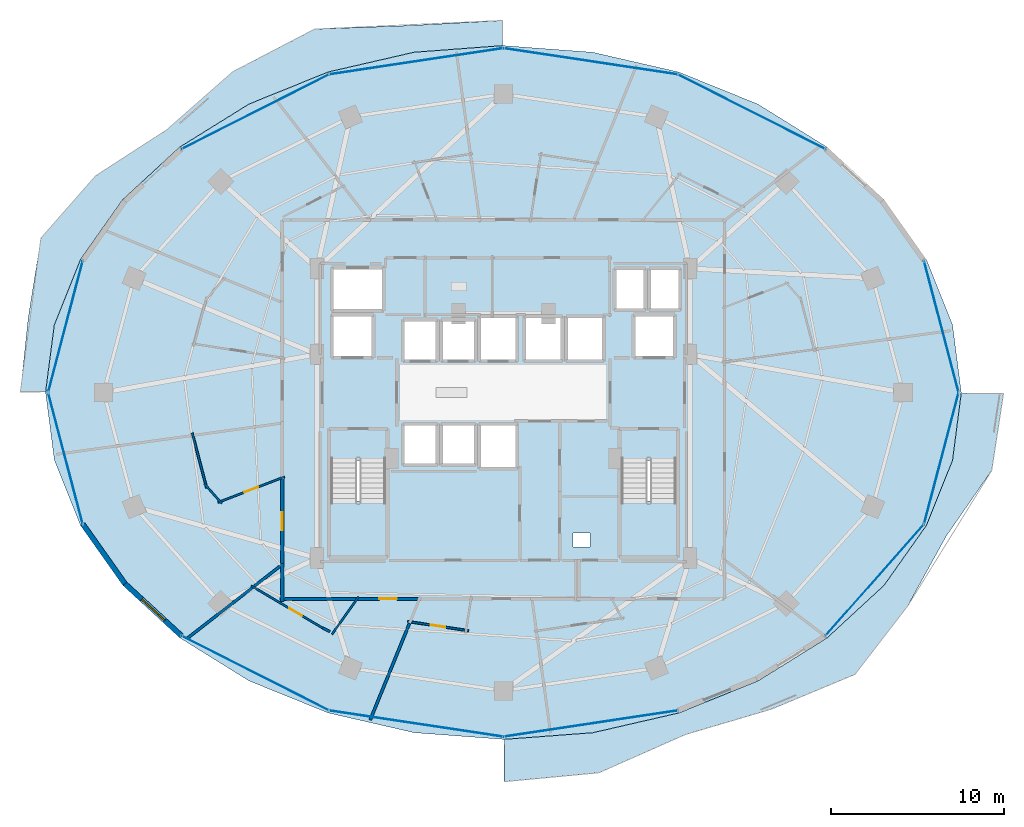
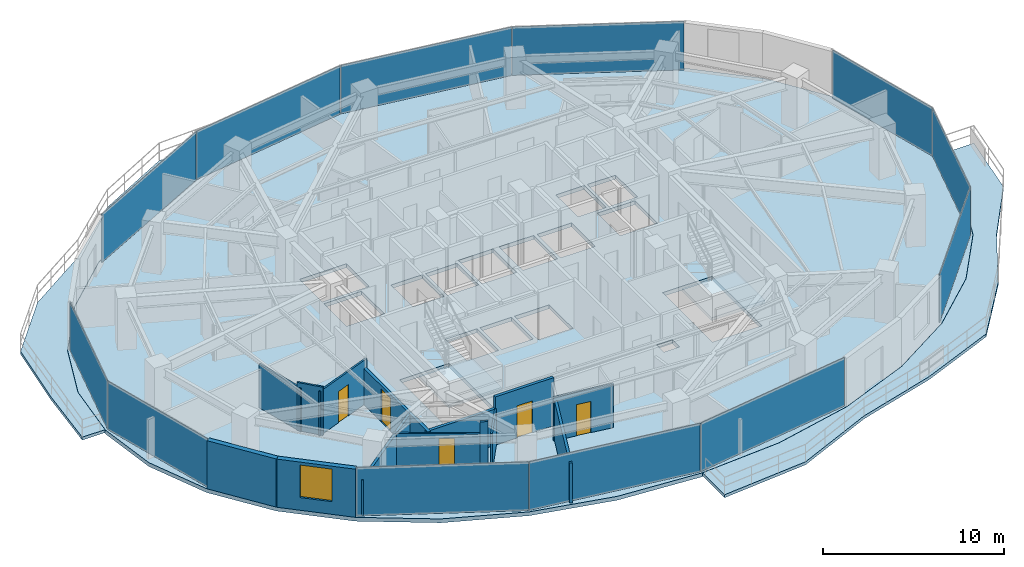
# One storey, part 21 of 30: 15 walls, 12 plates, 5 doors, 5 slabs, 1 window, 6 openings, 6 elements without a shape of their own.
"""IFC4 building model written with IfcOpenShell, lengths in metres."""

from ifc_helpers import new_model, si_unit, direction, frame, frame_2d, origin, origin_2d, place, context, subcontext, project, spatial, polyline, rectangle, outline, extrude, material, layer, layer_set, type_object, element, fill, aggregate, save


model = new_model("IFC4")

# Units and contexts
model_context = context("Model", 3, precision=1e-05, world=origin(), true_north=direction((0.0, 1.0)))
body_context = subcontext(model_context, "Body", "Model", "MODEL_VIEW")
ifc_project = project(units=[si_unit("LENGTHUNIT", "METRE"), si_unit("AREAUNIT", "SQUARE_METRE"), si_unit("VOLUMEUNIT", "CUBIC_METRE"), si_unit("PLANEANGLEUNIT", "RADIAN"), si_unit("MASSUNIT", "GRAM", prefix="KILO")], contexts=[model_context])

# Site, building, storey
site_placement = place(None, origin())
site = spatial("IfcSite", under=ifc_project, at=site_placement, CompositionType="ELEMENT")
building_placement = place(site_placement, origin())
building = spatial("IfcBuilding", under=site, at=building_placement, Name="Vorneva Point Tower", CompositionType="ELEMENT")
storey_placement = place(building_placement, frame((0.0, 0.0, 96.300048828125)))
storey = spatial("IfcBuildingStorey", under=building, at=storey_placement, Name="L25", CompositionType="ELEMENT", Elevation=96.300048828125)

# Curtain wall, plates
ifc_material_1 = material(Name="Pale anodised aluminium", Category="aluminium")
curtain_wall_type = type_object("IfcCurtainWallType", Name="CW-HTL-SYS", PredefinedType="NOTDEFINED", material=ifc_material_1)
curtain_wall_1_placement = place(storey_placement, origin())
curtain_wall_1 = element("IfcCurtainWall", 1, at=curtain_wall_1_placement, inside=storey, type_object=curtain_wall_type, Name="L25 Unitised Curtain Wall CW-L25-R01", PredefinedType="NOTDEFINED")
ifc_material_2 = material(Name="Double low-e laminated glass IGU", Category="glass")
ifc_layer_1 = layer(ifc_material_2, 0.035888671875)
ifc_layer_set_1 = layer_set([ifc_layer_1], Name="Double low-e laminated glass IGU")
plate_type = type_object("IfcPlateType", Name="CW-PNL-VIS", PredefinedType="CURTAIN_PANEL", material=ifc_layer_set_1)
plate_1_placement = place(storey_placement, frame((59.40673828125, 15.183837890625, -0.02001953125), z_axis=(0.0, 0.0, 1.0), x_axis=(0.662149334693, 0.749371909379, 0.0)))
plate_1 = element("IfcPlate", 2, at=plate_1_placement, type_object=plate_type, Name="CW-L25-R01 Glazed Panel 01", PredefinedType="CURTAIN_PANEL", context=body_context, shape_type="SweptSolid", body=[
    extrude(rectangle(XDim=8.543701171875, YDim=0.035888671875, at=origin_2d()), origin(), (0.0, 0.0, 1.0), 3.280029296875),
])
plate_2_placement = place(storey_placement, frame((63.2509765625, 22.201904296875, -0.02001953125), z_axis=(0.0, 0.0, 1.0), x_axis=(0.254399404995, 0.967099241411, 0.0)))
plate_2 = element("IfcPlate", 3, at=plate_2_placement, type_object=plate_type, Name="CW-L25-R01 Glazed Panel 02", PredefinedType="CURTAIN_PANEL", context=body_context, shape_type="SweptSolid", body=[
    extrude(rectangle(XDim=7.8046875, YDim=0.035888671875, at=origin_2d()), origin(), (0.0, 0.0, 1.0), 3.280029296875),
])
plate_3_placement = place(storey_placement, frame((63.2509765625, 29.798095703125, -0.02001953125), z_axis=(0.0, 0.0, 1.0), x_axis=(-0.254399404995, 0.967099241411, 0.0)))
plate_3 = element("IfcPlate", 4, at=plate_3_placement, type_object=plate_type, Name="CW-L25-R01 Glazed Panel 03", PredefinedType="CURTAIN_PANEL", context=body_context, shape_type="SweptSolid", body=[
    extrude(rectangle(XDim=7.8046875, YDim=0.035888671875, at=origin_2d()), origin(), (0.0, 0.0, 1.0), 3.280029296875),
])
aggregate(curtain_wall_1, [plate_1, plate_2, plate_3])

curtain_wall_2_placement = place(storey_placement, origin())
curtain_wall_2 = element("IfcCurtainWall", 5, at=curtain_wall_2_placement, inside=storey, type_object=curtain_wall_type, Name="L25 Unitised Curtain Wall CW-L25-R02", PredefinedType="NOTDEFINED")
plate_4_placement = place(storey_placement, frame((52.303466796875, 42.1875, -0.02001953125), z_axis=(0.0, 0.0, 1.0), x_axis=(-0.892538597772, 0.450971009585, 0.0)))
plate_4 = element("IfcPlate", 6, at=plate_4_placement, type_object=plate_type, Name="CW-L25-R02 Glazed Panel 01", PredefinedType="CURTAIN_PANEL", context=body_context, shape_type="SweptSolid", body=[
    extrude(rectangle(XDim=9.491455078125, YDim=0.035888671875, at=origin_2d()), origin(), (0.0, 0.0, 1.0), 3.280029296875),
])
plate_5_placement = place(storey_placement, frame((43.022705078125, 45.094482421875, -0.02001953125), z_axis=(0.0, 0.0, 1.0), x_axis=(-0.988876117041, 0.148741470836, 0.0)))
plate_5 = element("IfcPlate", 7, at=plate_5_placement, type_object=plate_type, Name="CW-L25-R02 Glazed Panel 02", PredefinedType="CURTAIN_PANEL", context=body_context, shape_type="SweptSolid", body=[
    extrude(rectangle(XDim=10.1083984375, YDim=0.035888671875, at=origin_2d()), origin(), (0.0, 0.0, 1.0), 3.280029296875),
])
plate_6_placement = place(storey_placement, frame((32.977294921875, 45.094482421875, -0.02001953125), z_axis=(0.0, 0.0, 1.0), x_axis=(-0.988876117041, -0.148741470836, 0.0)))
plate_6 = element("IfcPlate", 8, at=plate_6_placement, type_object=plate_type, Name="CW-L25-R02 Glazed Panel 03", PredefinedType="CURTAIN_PANEL", context=body_context, shape_type="SweptSolid", body=[
    extrude(rectangle(XDim=10.1083984375, YDim=0.035888671875, at=origin_2d()), origin(), (0.0, 0.0, 1.0), 3.280029296875),
])
plate_7_placement = place(storey_placement, frame((23.696533203125, 42.1875, -0.02001953125), z_axis=(0.0, 0.0, 1.0), x_axis=(-0.892538597772, -0.450971009585, 0.0)))
plate_7 = element("IfcPlate", 9, at=plate_7_placement, type_object=plate_type, Name="CW-L25-R02 Glazed Panel 04", PredefinedType="CURTAIN_PANEL", context=body_context, shape_type="SweptSolid", body=[
    extrude(rectangle(XDim=9.491455078125, YDim=0.035888671875, at=origin_2d()), origin(), (0.0, 0.0, 1.0), 3.280029296875),
])
aggregate(curtain_wall_2, [plate_4, plate_5, plate_6, plate_7])

curtain_wall_3_placement = place(storey_placement, origin())
curtain_wall_3 = element("IfcCurtainWall", 10, at=curtain_wall_3_placement, inside=storey, type_object=curtain_wall_type, Name="L25 Unitised Curtain Wall CW-L25-R03", PredefinedType="NOTDEFINED")
plate_8_placement = place(storey_placement, frame((12.7490234375, 29.798095703125, -0.02001953125), z_axis=(0.0, 0.0, 1.0), x_axis=(-0.254399404995, -0.967099241411, 0.0)))
plate_8 = element("IfcPlate", 11, at=plate_8_placement, type_object=plate_type, Name="CW-L25-R03 Glazed Panel 01", PredefinedType="CURTAIN_PANEL", context=body_context, shape_type="SweptSolid", body=[
    extrude(rectangle(XDim=7.8046875, YDim=0.035888671875, at=origin_2d()), origin(), (0.0, 0.0, 1.0), 3.280029296875),
])
plate_9_placement = place(storey_placement, frame((12.7490234375, 22.201904296875, -0.02001953125), z_axis=(0.0, 0.0, 1.0), x_axis=(0.254399404995, -0.967099241411, 0.0)))
plate_9 = element("IfcPlate", 12, at=plate_9_placement, type_object=plate_type, Name="CW-L25-R03 Glazed Panel 02", PredefinedType="CURTAIN_PANEL", context=body_context, shape_type="SweptSolid", body=[
    extrude(rectangle(XDim=7.8046875, YDim=0.035888671875, at=origin_2d()), origin(), (0.0, 0.0, 1.0), 3.280029296875),
])
aggregate(curtain_wall_3, [plate_8, plate_9])

curtain_wall_4_placement = place(storey_placement, origin())
curtain_wall_4 = element("IfcCurtainWall", 13, at=curtain_wall_4_placement, inside=storey, type_object=curtain_wall_type, Name="L25 Unitised Curtain Wall CW-L25-R04", PredefinedType="NOTDEFINED")
plate_10_placement = place(storey_placement, frame((23.696533203125, 9.8125, -0.02001953125), z_axis=(0.0, 0.0, 1.0), x_axis=(0.892538597772, -0.450971009585, 0.0)))
plate_10 = element("IfcPlate", 14, at=plate_10_placement, type_object=plate_type, Name="CW-L25-R04 Glazed Panel 01", PredefinedType="CURTAIN_PANEL", context=body_context, shape_type="SweptSolid", body=[
    extrude(rectangle(XDim=9.491455078125, YDim=0.035888671875, at=origin_2d()), origin(), (0.0, 0.0, 1.0), 3.280029296875),
])
plate_11_placement = place(storey_placement, frame((32.977294921875, 6.905517578125, -0.02001953125), z_axis=(0.0, 0.0, 1.0), x_axis=(0.988876117041, -0.148741470836, 0.0)))
plate_11 = element("IfcPlate", 15, at=plate_11_placement, type_object=plate_type, Name="CW-L25-R04 Glazed Panel 02", PredefinedType="CURTAIN_PANEL", context=body_context, shape_type="SweptSolid", body=[
    extrude(rectangle(XDim=10.1083984375, YDim=0.035888671875, at=origin_2d()), origin(), (0.0, 0.0, 1.0), 3.280029296875),
])
plate_12_placement = place(storey_placement, frame((43.022705078125, 6.905517578125, -0.02001953125), z_axis=(0.0, 0.0, 1.0), x_axis=(0.988876117041, 0.148741470836, 0.0)))
plate_12 = element("IfcPlate", 16, at=plate_12_placement, type_object=plate_type, Name="CW-L25-R04 Glazed Panel 03", PredefinedType="CURTAIN_PANEL", context=body_context, shape_type="SweptSolid", body=[
    extrude(rectangle(XDim=10.1083984375, YDim=0.035888671875, at=origin_2d()), origin(), (0.0, 0.0, 1.0), 3.280029296875),
])
aggregate(curtain_wall_4, [plate_10, plate_11, plate_12])

# Slabs
ifc_material_3 = material(Name="Concrete B50 (C40/50)", Category="concrete")
ifc_layer_2 = layer(ifc_material_3, 0.199951171875)
ifc_layer_set_2 = layer_set([ifc_layer_2], Name="Concrete B50 (C40/50)")
slab_type_1 = type_object("IfcSlabType", Name="SLB-BAL-200", PredefinedType="FLOOR", material=ifc_layer_set_2)
slab_1_placement = place(storey_placement, frame((0.0, 0.0, -0.199951171875)))
element("IfcSlab", 17, at=slab_1_placement, inside=storey, type_object=slab_type_1, Name="L25 Cantilevered Wave Balcony NW", PredefinedType="FLOOR", context=body_context, shape_type="SweptSolid", body=[
    extrude(outline(polyline([(10.150390625, 26.050048828125), (11.6025390625, 26.050048828125), (12.103271484375, 29.90234375), (12.103515625, 29.902587890625), (12.103515625, 29.903076171875), (12.103515625, 29.9033203125), (13.60595703125, 33.6552734375), (13.606201171875, 33.655517578125), (13.606201171875, 33.656005859375), (16.0458984375, 37.11376953125), (16.046142578125, 37.114013671875), (16.04638671875, 37.1142578125), (19.32958984375, 40.14501953125), (19.330078125, 40.145263671875), (19.330322265625, 40.1455078125), (23.330810546875, 42.6328125), (23.3310546875, 42.633056640625), (23.331298828125, 42.633056640625), (27.895751953125, 44.481201171875), (27.89599609375, 44.4814453125), (27.896240234375, 44.4814453125), (32.8486328125, 45.61962890625), (32.84912109375, 45.61962890625), (32.849365234375, 45.61962890625), (37.949951171875, 46.000244140625), (37.949951171875, 47.452392578125), (32.616943359375, 47.159423828125), (27.11962890625, 46.955078125), (22.390625, 44.490966796875), (18.57763671875, 41.138427734375), (14.484375, 38.49169921875), (11.331298828125, 34.8994140625), (10.597412109375, 30.29833984375), (10.150390625, 26.050048828125)])), origin(), (0.0, 0.0, 1.0), 0.199951171875),
])
slab_2_placement = place(storey_placement, frame((0.0, 0.0, -0.199951171875)))
element("IfcSlab", 18, at=slab_2_placement, inside=storey, type_object=slab_type_1, Name="L25 Cantilevered Wave Balcony SE", PredefinedType="FLOOR", context=body_context, shape_type="SweptSolid", body=[
    extrude(outline(polyline([(66.155029296875, 21.504150390625), (66.83740234375, 25.949951171875), (64.3974609375, 25.949951171875), (63.896728515625, 22.09765625), (63.896484375, 22.097412109375), (63.896484375, 22.096923828125), (63.896484375, 22.0966796875), (62.39404296875, 18.3447265625), (62.393798828125, 18.344482421875), (62.393798828125, 18.343994140625), (59.9541015625, 14.88623046875), (59.953857421875, 14.885986328125), (59.95361328125, 14.8857421875), (56.67041015625, 11.85498046875), (56.669921875, 11.854736328125), (56.669677734375, 11.8544921875), (52.669189453125, 9.3671875), (52.6689453125, 9.366943359375), (52.668701171875, 9.366943359375), (48.104248046875, 7.518798828125), (48.10400390625, 7.5185546875), (48.103759765625, 7.5185546875), (43.1513671875, 6.38037109375), (43.15087890625, 6.38037109375), (43.150634765625, 6.38037109375), (38.050048828125, 5.999755859375), (38.050048828125, 3.559814453125), (43.498779296875, 4.071533203125), (48.4931640625, 6.27880859375), (53.486083984375, 7.752685546875), (58.267822265625, 9.74560546875), (61.310791015625, 13.689208984375), (63.533935546875, 17.72119140625), (66.155029296875, 21.504150390625)])), origin(), (0.0, 0.0, 1.0), 0.199951171875),
])

# Stair, slab
stair_type = type_object("IfcStairType", Name="ST-DOG-1500", PredefinedType="HALF_TURN_STAIR", material=ifc_material_3)
stair_1_placement = place(storey_placement, origin())
stair_1 = element("IfcStair", 19, at=stair_1_placement, inside=storey, type_object=stair_type, Name="L25 ST1", PredefinedType="HALF_TURN_STAIR")
ifc_layer_3 = layer(ifc_material_3, 0.199951171875)
ifc_layer_set_3 = layer_set([ifc_layer_3], Name="Concrete B50 (C40/50)")
slab_type_2 = type_object("IfcSlabType", Name="SLB-LND-200", PredefinedType="LANDING", material=ifc_layer_set_3)
slab_3_placement = place(storey_placement, frame((0.0, 0.0, 1.550048828125)))
slab_3 = element("IfcSlab", 20, at=slab_3_placement, type_object=slab_type_2, Name="ST1 landing 1", PredefinedType="LANDING", context=body_context, shape_type="SweptSolid", body=[
    extrude(outline(polyline([(27.929931640625, 16.47998046875), (31.320068359375, 16.47998046875), (31.320068359375, 19.72998046875), (27.929931640625, 19.72998046875), (27.929931640625, 16.47998046875)])), origin(), (0.0, 0.0, 1.0), 0.199951171875),
])
aggregate(stair_1, [slab_3])

stair_2_placement = place(storey_placement, origin())
stair_2 = element("IfcStair", 21, at=stair_2_placement, inside=storey, type_object=stair_type, Name="L25 ST2", PredefinedType="HALF_TURN_STAIR")
slab_4_placement = place(storey_placement, frame((0.0, 0.0, 1.550048828125)))
slab_4 = element("IfcSlab", 22, at=slab_4_placement, type_object=slab_type_2, Name="ST2 landing 1", PredefinedType="LANDING", context=body_context, shape_type="SweptSolid", body=[
    extrude(outline(polyline([(44.679931640625, 16.47998046875), (48.070068359375, 16.47998046875), (48.070068359375, 19.72998046875), (44.679931640625, 19.72998046875), (44.679931640625, 16.47998046875)])), origin(), (0.0, 0.0, 1.0), 0.199951171875),
])
aggregate(stair_2, [slab_4])

# Slab
ifc_layer_4 = layer(ifc_material_3, 0.260009765625)
ifc_layer_set_4 = layer_set([ifc_layer_4], Name="Concrete B50 (C40/50)")
slab_type_3 = type_object("IfcSlabType", Name="SLB-TYP-260", PredefinedType="FLOOR", material=ifc_layer_set_4)
slab_5_placement = place(storey_placement, frame((0.0, 0.0, -0.260009765625)))
element("IfcSlab", 23, at=slab_5_placement, inside=storey, type_object=slab_type_3, Name="L25 Structural Floor Plate", PredefinedType="FLOOR", context=body_context, shape_type="SweptSolid", body=[
    extrude(outline(polyline([(64.39990234375, 26.0), (63.892578125, 29.90185546875), (62.390380859375, 33.65380859375), (59.95068359375, 37.111328125), (56.66748046875, 40.14208984375), (52.6669921875, 42.62939453125), (48.102783203125, 44.4775390625), (43.150390625, 45.61572265625), (38.0, 46.0), (32.849609375, 45.61572265625), (27.897216796875, 44.4775390625), (23.3330078125, 42.62939453125), (19.33251953125, 40.14208984375), (16.04931640625, 37.111328125), (13.609619140625, 33.65380859375), (12.107421875, 29.90185546875), (11.60009765625, 26.0), (12.107421875, 22.09814453125), (13.609619140625, 18.34619140625), (16.04931640625, 14.888671875), (19.33251953125, 11.85791015625), (23.3330078125, 9.37060546875), (27.897216796875, 7.5224609375), (32.849609375, 6.38427734375), (38.0, 6.0), (43.150390625, 6.38427734375), (48.102783203125, 7.5224609375), (52.6669921875, 9.37060546875), (56.66748046875, 11.85791015625), (59.95068359375, 14.888671875), (62.390380859375, 18.34619140625), (63.892578125, 22.09814453125), (64.39990234375, 26.0)]), holes=[polyline([(32.199951171875, 27.800048828125), (34.199951171875, 27.800048828125), (34.199951171875, 30.199951171875), (32.199951171875, 30.199951171875), (32.199951171875, 27.800048828125)]), polyline([(34.39990234375, 27.800048828125), (36.39990234375, 27.800048828125), (36.39990234375, 30.199951171875), (34.39990234375, 30.199951171875), (34.39990234375, 27.800048828125)]), polyline([(36.60009765625, 27.800048828125), (38.800048828125, 27.800048828125), (38.800048828125, 30.39990234375), (36.60009765625, 30.39990234375), (36.60009765625, 27.800048828125)]), polyline([(32.199951171875, 21.800048828125), (34.199951171875, 21.800048828125), (34.199951171875, 24.199951171875), (32.199951171875, 24.199951171875), (32.199951171875, 21.800048828125)]), polyline([(34.39990234375, 21.800048828125), (36.39990234375, 21.800048828125), (36.39990234375, 24.199951171875), (34.39990234375, 24.199951171875), (34.39990234375, 21.800048828125)]), polyline([(36.60009765625, 21.60009765625), (38.800048828125, 21.60009765625), (38.800048828125, 24.199951171875), (36.60009765625, 24.199951171875), (36.60009765625, 21.60009765625)]), polyline([(39.199951171875, 27.800048828125), (41.39990234375, 27.800048828125), (41.39990234375, 30.39990234375), (39.199951171875, 30.39990234375), (39.199951171875, 27.800048828125)]), polyline([(41.60009765625, 27.800048828125), (43.800048828125, 27.800048828125), (43.800048828125, 30.39990234375), (41.60009765625, 30.39990234375), (41.60009765625, 27.800048828125)]), polyline([(44.39990234375, 30.739990234375), (46.199951171875, 30.739990234375), (46.199951171875, 33.159912109375), (44.39990234375, 33.159912109375), (44.39990234375, 30.739990234375)]), polyline([(46.39990234375, 30.739990234375), (48.199951171875, 30.739990234375), (48.199951171875, 33.159912109375), (46.39990234375, 33.159912109375), (46.39990234375, 30.739990234375)]), polyline([(28.10009765625, 28.0), (30.5, 28.0), (30.5, 30.5), (28.10009765625, 30.5), (28.10009765625, 28.0)]), polyline([(45.5, 28.0), (47.89990234375, 28.0), (47.89990234375, 30.5), (45.5, 30.5), (45.5, 28.0)]), polyline([(28.10009765625, 30.699951171875), (31.10009765625, 30.699951171875), (31.10009765625, 33.199951171875), (28.10009765625, 33.199951171875), (28.10009765625, 30.699951171875)]), polyline([(28.050048828125, 16.60009765625), (31.199951171875, 16.60009765625), (31.199951171875, 22.080078125), (28.050048828125, 22.080078125), (28.050048828125, 16.60009765625)]), polyline([(44.800048828125, 16.60009765625), (47.949951171875, 16.60009765625), (47.949951171875, 22.080078125), (44.800048828125, 22.080078125), (44.800048828125, 16.60009765625)]), polyline([(42.0, 17.10009765625), (43.0, 17.10009765625), (43.0, 17.89990234375), (42.0, 17.89990234375), (42.0, 17.10009765625)])]), origin(), (0.0, 0.0, 1.0), 0.260009765625),
])

# Wall
ifc_material_4 = material(Name="Precast concrete B50 (C40/50)", Category="concrete")
ifc_layer_5 = layer(ifc_material_4, 0.300048828125)
ifc_layer_set_5 = layer_set([ifc_layer_5], Name="Precast concrete B50 (C40/50)")
wall_type_1 = type_object("IfcWallType", Name="WL-EXT-300", PredefinedType="STANDARD", material=ifc_layer_set_5)
wall_1_placement = place(storey_placement, frame((13.748291015625, 18.40380859375, 0.0), z_axis=(0.0, 0.0, 1.0), x_axis=(0.57716435238, -0.81662801222, 0.0)))
element("IfcWall", 24, at=wall_1_placement, inside=storey, type_object=wall_type_1, Name="L25 Pale-Metal Facade Spandrel Wall 10.1", PredefinedType="STANDARD", context=body_context, shape_type="SweptSolid", body=[
    extrude(rectangle(XDim=4.202392578125, YDim=0.300048828125, at=frame_2d((2.10107421875, 0.0))), origin(), (0.0, 0.0, 1.0), 3.239990234375),
])

# Wall, opening, window
wall_2_placement = place(storey_placement, frame((16.173828125, 14.971923828125, 0.0), z_axis=(0.0, 0.0, 1.0), x_axis=(0.735416718093, -0.677615119924, 0.0)))
wall_2 = element("IfcWall", 25, at=wall_2_placement, inside=storey, type_object=wall_type_1, Name="L25 Pale-Metal Facade Spandrel Wall 10.2", PredefinedType="STANDARD", context=body_context, shape_type="SweptSolid", body=[
    extrude(rectangle(XDim=4.439208984375, YDim=0.300048828125, at=frame_2d((2.2197265625, 0.0))), origin(), (0.0, 0.0, 1.0), 3.239990234375),
])
opening_1_placement = place(wall_2_placement, frame((1.319580078125, 0.0, 0.85009765625)))
opening_1 = element("IfcOpeningElement", 26, at=opening_1_placement, cuts=wall_2, Name="Opening W-01", PredefinedType="OPENING", context=body_context, shape_type="SweptSolid", body=[
    extrude(rectangle(XDim=1.800048828125, YDim=2.18994140625, at=frame_2d((0.89990234375, 1.094970703125))), frame((0.0, 0.1650390625, 0.0), z_axis=(0.0, -1.0, 0.0), x_axis=(1.0, 0.0, 0.0)), (0.0, 0.0, 1.0), 0.329833984375),
])
window_type = type_object("IfcWindowType", Name="WN-LOG-1800", PartitioningType="SINGLE_PANEL", PredefinedType="WINDOW", material=ifc_material_2)
window_placement = place(opening_1_placement, origin())
window = element("IfcWindow", 27, at=window_placement, inside=storey, type_object=window_type, Name="L25 Facade Window 10", OverallHeight=2.18994140625, OverallWidth=1.800048828125, PartitioningType="SINGLE_PANEL", PredefinedType="WINDOW", context=body_context, shape_type="SweptSolid", body=[
    extrude(rectangle(XDim=1.800048828125, YDim=2.18994140625, at=frame_2d((0.89990234375, 1.094970703125))), frame((0.0, 0.030029296875, 0.0), z_axis=(0.0, -1.0, 0.0), x_axis=(1.0, 0.0, 0.0)), (0.0, 0.0, 1.0), 0.06005859375),
])
fill(opening_1, window)

# Walls
ifc_material_5 = material(Name="Fire-rated acoustic gypsum stud partition", Category="gypsum")
ifc_layer_6 = layer(ifc_material_5, 0.110107421875)
ifc_layer_set_6 = layer_set([ifc_layer_6], Name="Fire-rated acoustic gypsum stud partition")
wall_type_2 = type_object("IfcWallType", Name="WL-PART-110", PredefinedType="PARTITIONING", material=ifc_layer_set_6)
wall_3_placement = place(storey_placement, frame((21.759765625, 19.60205078125, 0.0), z_axis=(0.0, 0.0, 1.0), x_axis=(-0.661931735756, 0.749564124808, 0.0)))
element("IfcWall", 28, at=wall_3_placement, inside=storey, type_object=wall_type_2, Name="L25 Interior Partition 072", PredefinedType="PARTITIONING", context=body_context, shape_type="SweptSolid", body=[
    extrude(rectangle(XDim=1.510009765625, YDim=0.110107421875, at=frame_2d((0.7548828125, 0.0))), origin(), (0.0, 0.0, 1.0), 3.239990234375),
])
wall_4_placement = place(storey_placement, frame((20.888671875, 20.49365234375, 0.0), z_axis=(0.0, 0.0, 1.0), x_axis=(-0.254405137241, 0.967097733502, 0.0)))
element("IfcWall", 29, at=wall_4_placement, inside=storey, type_object=wall_type_2, Name="L25 Interior Partition 073", PredefinedType="PARTITIONING", context=body_context, shape_type="SweptSolid", body=[
    extrude(rectangle(XDim=3.271484375, YDim=0.110107421875, at=frame_2d((1.6357421875, 0.0))), origin(), (0.0, 0.0, 1.0), 2.921875),
])

# Wall, opening, door
wall_5_placement = place(storey_placement, frame((25.380615234375, 21.13720703125, 0.0), z_axis=(0.0, 0.0, 1.0), x_axis=(-0.933189718051, -0.359384126144, 0.0)))
wall_5 = element("IfcWall", 30, at=wall_5_placement, inside=storey, type_object=wall_type_2, Name="L25 Interior Partition 074", PredefinedType="PARTITIONING", context=body_context, shape_type="SweptSolid", body=[
    extrude(rectangle(XDim=4.119384765625, YDim=0.110107421875, at=frame_2d((2.0595703125, 0.0))), origin(), (0.0, 0.0, 1.0), 2.971923828125),
])
opening_2_placement = place(wall_5_placement, frame((1.634765625, 0.0, 0.0)))
opening_2 = element("IfcOpeningElement", 31, at=opening_2_placement, cuts=wall_5, Name="Opening ID-02", PredefinedType="OPENING", context=body_context, shape_type="SweptSolid", body=[
    extrude(rectangle(XDim=0.85009765625, YDim=2.10009765625, at=frame_2d((0.425048828125, 1.050048828125))), frame((0.0, 0.06982421875, 0.0), z_axis=(0.0, -1.0, 0.0), x_axis=(1.0, 0.0, 0.0)), (0.0, 0.0, 1.0), 0.139892578125),
])
ifc_material_6 = material(Name="Engineered oak fire-rated door leaf", Category="wood")
door_type_1 = type_object("IfcDoorType", Name="DR-BATH-850", OperationType="NOTDEFINED", PredefinedType="DOOR", material=ifc_material_6)
door_1_placement = place(opening_2_placement, origin())
door_1 = element("IfcDoor", 32, at=door_1_placement, inside=storey, type_object=door_type_1, Name="L25 Door Junior Suite L25-07 / En-Suite Bathroom L25-07", OperationType="SINGLE_SWING_LEFT", OverallHeight=2.10009765625, OverallWidth=0.85009765625, PredefinedType="DOOR", context=body_context, shape_type="SweptSolid", body=[
    extrude(rectangle(XDim=0.85009765625, YDim=2.10009765625, at=frame_2d((0.425048828125, 1.050048828125))), frame((0.0, 0.02490234375, 0.0), z_axis=(0.0, -1.0, 0.0), x_axis=(1.0, 0.0, 0.0)), (0.0, 0.0, 1.0), 0.050048828125),
])
fill(opening_2, door_1)

wall_6_placement = place(storey_placement, frame((27.610595703125, 12.398681640625, 0.0), z_axis=(0.0, 0.0, 1.0), x_axis=(-0.860667615303, 0.509167218081, 0.0)))
wall_6 = element("IfcWall", 33, at=wall_6_placement, inside=storey, type_object=wall_type_2, Name="L25 Interior Partition 076", PredefinedType="PARTITIONING", context=body_context, shape_type="SweptSolid", body=[
    extrude(rectangle(XDim=4.82666015625, YDim=0.110107421875, at=frame_2d((2.413330078125, 0.0))), origin(), (0.0, 0.0, 1.0), 2.431884765625),
])
opening_3_placement = place(wall_6_placement, frame((1.42822265625, 0.0, 0.0)))
opening_3 = element("IfcOpeningElement", 34, at=opening_3_placement, cuts=wall_6, Name="Opening ID-02", PredefinedType="OPENING", context=body_context, shape_type="SweptSolid", body=[
    extrude(rectangle(XDim=0.85009765625, YDim=2.10009765625, at=frame_2d((0.425048828125, 1.050048828125))), frame((0.0, 0.06982421875, 0.0), z_axis=(0.0, -1.0, 0.0), x_axis=(1.0, 0.0, 0.0)), (0.0, 0.0, 1.0), 0.139892578125),
])
door_2_placement = place(opening_3_placement, origin())
door_2 = element("IfcDoor", 35, at=door_2_placement, inside=storey, type_object=door_type_1, Name="L25 Door King Guest Room L25-08 / En-Suite Bathroom L25-08", OperationType="SINGLE_SWING_RIGHT", OverallHeight=2.10009765625, OverallWidth=0.85009765625, PredefinedType="DOOR", context=body_context, shape_type="SweptSolid", body=[
    extrude(rectangle(XDim=0.85009765625, YDim=2.10009765625, at=frame_2d((0.425048828125, 1.050048828125))), frame((0.0, 0.02490234375, 0.0), z_axis=(0.0, -1.0, 0.0), x_axis=(1.0, 0.0, 0.0)), (0.0, 0.0, 1.0), 0.050048828125),
])
fill(opening_3, door_2)

# Wall
wall_7_placement = place(storey_placement, frame((29.64404296875, 14.214111328125, 0.0), z_axis=(0.0, 0.0, 1.0), x_axis=(-0.578550668744, -0.815646445279, 0.0)))
element("IfcWall", 36, at=wall_7_placement, inside=storey, type_object=wall_type_2, Name="L25 Interior Partition 077", PredefinedType="PARTITIONING", context=body_context, shape_type="SweptSolid", body=[
    extrude(rectangle(XDim=2.64111328125, YDim=0.110107421875, at=frame_2d((1.320556640625, 0.0))), origin(), (0.0, 0.0, 1.0), 2.431884765625),
])

# Wall, opening, door
wall_8_placement = place(storey_placement, frame((35.9833984375, 12.26708984375, 0.0), z_axis=(0.0, 0.0, 1.0), x_axis=(-0.988843169739, 0.148960349288, 0.0)))
wall_8 = element("IfcWall", 37, at=wall_8_placement, inside=storey, type_object=wall_type_2, Name="L25 Interior Partition 081", PredefinedType="PARTITIONING", context=body_context, shape_type="SweptSolid", body=[
    extrude(rectangle(XDim=3.54345703125, YDim=0.110107421875, at=frame_2d((1.771728515625, 0.0))), origin(), (0.0, 0.0, 1.0), 2.921875),
])
opening_4_placement = place(wall_8_placement, frame((1.3466796875, 0.0, 0.0)))
opening_4 = element("IfcOpeningElement", 38, at=opening_4_placement, cuts=wall_8, Name="Opening ID-02", PredefinedType="OPENING", context=body_context, shape_type="SweptSolid", body=[
    extrude(rectangle(XDim=0.85009765625, YDim=2.10009765625, at=frame_2d((0.425048828125, 1.050048828125))), frame((0.0, 0.06982421875, 0.0), z_axis=(0.0, -1.0, 0.0), x_axis=(1.0, 0.0, 0.0)), (0.0, 0.0, 1.0), 0.139892578125),
])
door_3_placement = place(opening_4_placement, origin())
door_3 = element("IfcDoor", 39, at=door_3_placement, inside=storey, type_object=door_type_1, Name="L25 Door Twin Guest Room L25-09 / En-Suite Bathroom L25-09", OperationType="SINGLE_SWING_LEFT", OverallHeight=2.10009765625, OverallWidth=0.85009765625, PredefinedType="DOOR", context=body_context, shape_type="SweptSolid", body=[
    extrude(rectangle(XDim=0.85009765625, YDim=2.10009765625, at=frame_2d((0.425048828125, 1.050048828125))), frame((0.0, 0.02490234375, 0.0), z_axis=(0.0, -1.0, 0.0), x_axis=(1.0, 0.0, 0.0)), (0.0, 0.0, 1.0), 0.050048828125),
])
fill(opening_4, door_3)

# Walls
ifc_layer_7 = layer(ifc_material_5, 0.139892578125)
ifc_layer_set_7 = layer_set([ifc_layer_7], Name="Fire-rated acoustic gypsum stud partition")
wall_type_3 = type_object("IfcWallType", Name="WL-PART-140", PredefinedType="PARTITIONING", material=ifc_layer_set_7)
wall_9_placement = place(storey_placement, frame((27.587158203125, 12.421142578125, 0.0), z_axis=(0.0, 0.0, 1.0), x_axis=(0.892279780373, -0.451482882884, 0.0)))
element("IfcWall", 40, at=wall_9_placement, inside=storey, type_object=wall_type_3, Name="L25 Interior Closure Partition 103", PredefinedType="PARTITIONING", context=body_context, shape_type="SweptSolid", body=[
    extrude(rectangle(XDim=0.45703125, YDim=0.139892578125, at=frame_2d((0.228515625, 0.0))), origin(), (0.0, 0.0, 1.0), 3.239990234375),
])
ifc_layer_8 = layer(ifc_material_5, 0.159912109375)
ifc_layer_set_8 = layer_set([ifc_layer_8], Name="Fire-rated acoustic gypsum stud partition")
wall_type_4 = type_object("IfcWallType", Name="WL-PART-160", PredefinedType="PARTITIONING", material=ifc_layer_set_8)
wall_10_placement = place(storey_placement, frame((19.72509765625, 11.7900390625, 0.0), z_axis=(0.0, 0.0, 1.0), x_axis=(0.789438616042, 0.613829513384, 0.0)))
element("IfcWall", 41, at=wall_10_placement, inside=storey, type_object=wall_type_4, Name="L25 Interior Partition 075", PredefinedType="PARTITIONING", context=body_context, shape_type="SweptSolid", body=[
    extrude(rectangle(XDim=6.99853515625, YDim=0.159912109375, at=frame_2d((3.499267578125, 0.0))), origin(), (0.0, 0.0, 1.0), 2.431884765625),
])
wall_11_placement = place(storey_placement, frame((30.318115234375, 7.1201171875, 0.0), z_axis=(0.0, 0.0, 1.0), x_axis=(0.376920780929, 0.926245499263, 0.0)))
element("IfcWall", 42, at=wall_11_placement, inside=storey, type_object=wall_type_4, Name="L25 Interior Partition 078", PredefinedType="PARTITIONING", context=body_context, shape_type="SweptSolid", body=[
    extrude(rectangle(XDim=6.165771484375, YDim=0.159912109375, at=frame_2d((3.0830078125, 0.0))), origin(), (0.0, 0.0, 1.0), 2.677001953125),
])

# Wall, opening, door
ifc_material_7 = material(Name="Autoclaved aerated concrete blockwork", Category="masonry")
ifc_layer_9 = layer(ifc_material_7, 0.179931640625)
ifc_layer_set_9 = layer_set([ifc_layer_9], Name="Autoclaved aerated concrete blockwork")
wall_type_5 = type_object("IfcWallType", Name="WL-PART-180", PredefinedType="PARTITIONING", material=ifc_layer_set_9)
wall_12_placement = place(storey_placement, frame((25.25, 21.14697265625, 0.0), z_axis=(0.0, 0.0, 1.0), x_axis=(0.0, -1.0, 0.0)))
wall_12 = element("IfcWall", 43, at=wall_12_placement, inside=storey, type_object=wall_type_5, Name="L25 Interior Partition 035", PredefinedType="PARTITIONING", context=body_context, shape_type="SweptSolid", body=[
    extrude(rectangle(XDim=5.136962890625, YDim=0.179931640625, at=frame_2d((2.568359375, 0.0))), origin(), (0.0, 0.0, 1.0), 2.431884765625),
])
opening_5_placement = place(wall_12_placement, frame((2.04345703125, 0.0, 0.0)))
opening_5 = element("IfcOpeningElement", 44, at=opening_5_placement, cuts=wall_12, Name="Opening UD-02", PredefinedType="OPENING", context=body_context, shape_type="SweptSolid", body=[
    extrude(rectangle(XDim=1.050048828125, YDim=2.199951171875, at=frame_2d((0.52490234375, 1.10009765625))), frame((0.0, 0.10498046875, 0.0), z_axis=(0.0, -1.0, 0.0), x_axis=(1.0, 0.0, 0.0)), (0.0, 0.0, 1.0), 0.209716796875),
])
door_type_2 = type_object("IfcDoorType", Name="DR-SUITE-1050", OperationType="NOTDEFINED", PredefinedType="DOOR", material=ifc_material_6)
door_4_placement = place(opening_5_placement, origin())
door_4 = element("IfcDoor", 45, at=door_4_placement, inside=storey, type_object=door_type_2, Name="L25 Door L25 Circulation Corridor / Junior Suite L25-07", OperationType="SINGLE_SWING_LEFT", OverallHeight=2.199951171875, OverallWidth=1.050048828125, PredefinedType="DOOR", context=body_context, shape_type="SweptSolid", body=[
    extrude(rectangle(XDim=1.050048828125, YDim=2.199951171875, at=frame_2d((0.52490234375, 1.10009765625))), frame((0.0, 0.02490234375, 0.0), z_axis=(0.0, -1.0, 0.0), x_axis=(1.0, 0.0, 0.0)), (0.0, 0.0, 1.0), 0.050048828125),
])
fill(opening_5, door_4)

wall_13_placement = place(storey_placement, frame((29.489013671875, 14.10009765625, 0.0), z_axis=(0.0, 0.0, 1.0), x_axis=(1.0, 0.0, 0.0)))
wall_13 = element("IfcWall", 46, at=wall_13_placement, inside=storey, type_object=wall_type_5, Name="L25 Interior Partition 037", PredefinedType="PARTITIONING", context=body_context, shape_type="SweptSolid", body=[
    extrude(rectangle(XDim=3.72900390625, YDim=0.179931640625, at=frame_2d((1.864501953125, 0.0))), origin(), (0.0, 0.0, 1.0), 3.239990234375),
])
opening_6_placement = place(wall_13_placement, frame((1.364501953125, 0.0, 0.0)))
opening_6 = element("IfcOpeningElement", 47, at=opening_6_placement, cuts=wall_13, Name="Opening UD-01", PredefinedType="OPENING", context=body_context, shape_type="SweptSolid", body=[
    extrude(rectangle(XDim=1.0, YDim=2.14990234375, at=frame_2d((0.5, 1.074951171875))), frame((0.0, 0.10498046875, 0.0), z_axis=(0.0, -1.0, 0.0), x_axis=(1.0, 0.0, 0.0)), (0.0, 0.0, 1.0), 0.209716796875),
])
door_type_3 = type_object("IfcDoorType", Name="DR-UNIT-1000", OperationType="NOTDEFINED", PredefinedType="DOOR", material=ifc_material_6)
door_5_placement = place(opening_6_placement, origin())
door_5 = element("IfcDoor", 48, at=door_5_placement, inside=storey, type_object=door_type_3, Name="L25 Door L25 Circulation Corridor / King Guest Room L25-08", OperationType="SINGLE_SWING_RIGHT", OverallHeight=2.14990234375, OverallWidth=1.0, PredefinedType="DOOR", context=body_context, shape_type="SweptSolid", body=[
    extrude(rectangle(XDim=1.0, YDim=2.14990234375, at=frame_2d((0.5, 1.074951171875))), frame((0.0, 0.02490234375, 0.0), z_axis=(0.0, -1.0, 0.0), x_axis=(1.0, 0.0, 0.0)), (0.0, 0.0, 1.0), 0.050048828125),
])
fill(opening_6, door_5)

# Walls
wall_14_placement = place(storey_placement, frame((25.25, 16.14990234375, 0.0), z_axis=(0.0, 0.0, 1.0), x_axis=(0.0, -1.0, 0.0)))
element("IfcWall", 49, at=wall_14_placement, inside=storey, type_object=wall_type_5, Name="L25 Interior Partition 038", PredefinedType="PARTITIONING", context=body_context, shape_type="SweptSolid", body=[
    extrude(rectangle(XDim=2.18994140625, YDim=0.179931640625, at=frame_2d((1.094970703125, 0.0))), origin(), (0.0, 0.0, 1.0), 2.431884765625),
])
wall_15_placement = place(storey_placement, frame((25.110107421875, 14.10009765625, 0.0), z_axis=(0.0, 0.0, 1.0), x_axis=(1.0, 0.0, 0.0)))
element("IfcWall", 50, at=wall_15_placement, inside=storey, type_object=wall_type_5, Name="L25 Interior Partition 039", PredefinedType="PARTITIONING", context=body_context, shape_type="SweptSolid", body=[
    extrude(rectangle(XDim=4.518798828125, YDim=0.179931640625, at=frame_2d((2.25927734375, 0.0))), origin(), (0.0, 0.0, 1.0), 2.431884765625),
])

save(model, "model.ifc")
